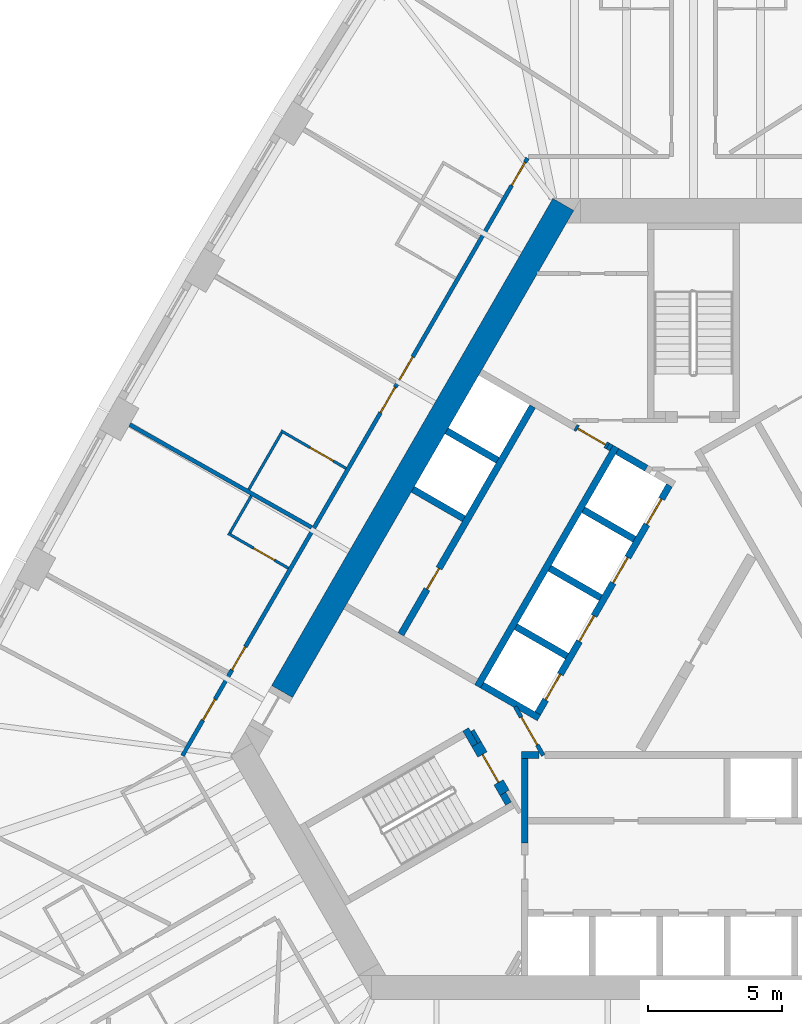
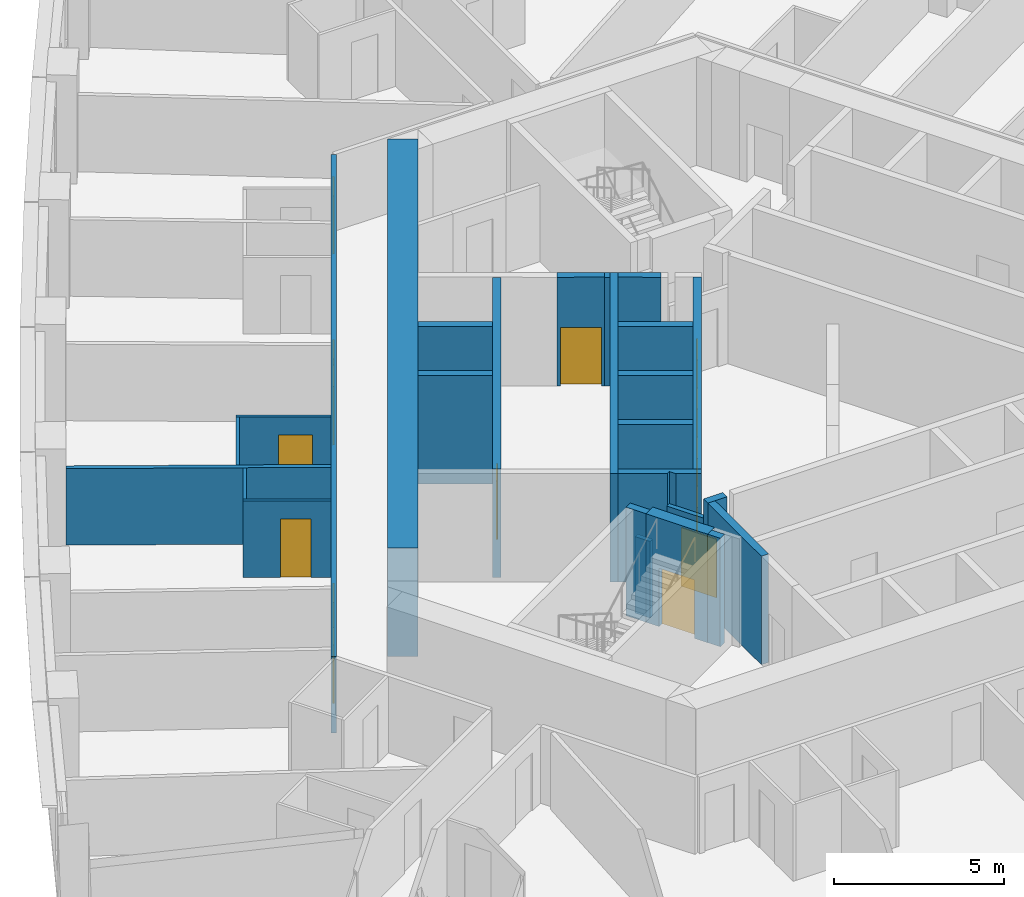
# One storey, part 5 of 13: 26 walls, 15 doors, 15 openings.
"""IFC4 building model written with IfcOpenShell, lengths in metres."""

from ifc_helpers import new_model, si_unit, direction, frame, frame_2d, origin, place, context, subcontext, project, spatial, polyline, rectangle, outline, extrude, material, layer, layer_set, type_object, element, fill, save


model = new_model("IFC4")

# Units and contexts
model_context = context("Model", 3, precision=1e-05, world=origin(), true_north=direction((0.0, 1.0)))
body_context = subcontext(model_context, "Body", "Model", "MODEL_VIEW")
ifc_project = project(units=[si_unit("LENGTHUNIT", "METRE"), si_unit("AREAUNIT", "SQUARE_METRE"), si_unit("VOLUMEUNIT", "CUBIC_METRE"), si_unit("PLANEANGLEUNIT", "RADIAN"), si_unit("MASSUNIT", "GRAM", prefix="KILO")], contexts=[model_context])

# Site, building, storey
site_placement = place(None, origin())
site = spatial("IfcSite", under=ifc_project, at=site_placement, CompositionType="ELEMENT")
building_placement = place(site_placement, origin())
building = spatial("IfcBuilding", under=site, at=building_placement, Name="Mestral Congress Tower", CompositionType="ELEMENT")
storey_placement = place(building_placement, frame((0.0, 0.0, 31.5)))
storey = spatial("IfcBuildingStorey", under=building, at=storey_placement, Name="L06", CompositionType="ELEMENT", Elevation=31.5)

# Wall
ifc_material_1 = material(Name="Fire-rated board partition")
ifc_layer_1 = layer(ifc_material_1, 0.14990234375)
ifc_layer_set_1 = layer_set([ifc_layer_1], Name="Fire-rated board partition")
wall_type_1 = type_object("IfcWallType", Name="Core partition 150", PredefinedType="PARTITIONING", material=ifc_layer_set_1)
wall_1_placement = place(storey_placement, frame((-8.251953125, -2.958251953125, 0.0), z_axis=(0.0, 0.0, 1.0), x_axis=(0.500174715838, -0.865924508047, 0.0)))
element("IfcWall", 1, at=wall_1_placement, inside=storey, type_object=wall_type_1, Name="L06 core wall", PredefinedType="PARTITIONING", context=body_context, shape_type="SweptSolid", body=[
    extrude(rectangle(XDim=0.513916015625, YDim=0.14990234375, at=frame_2d((0.2568359375, 0.0))), origin(), (0.0, 0.0, 1.0), 2.75),
])

# Wall, opening, door
wall_2_placement = place(storey_placement, frame((-5.606201171875, -3.8896484375, 0.0), z_axis=(0.0, 0.0, 1.0), x_axis=(-0.500027713859, 0.866009402589, 0.0)))
wall_2 = element("IfcWall", 2, at=wall_2_placement, inside=storey, type_object=wall_type_1, Name="L06 door wall", PredefinedType="PARTITIONING", context=body_context, shape_type="SweptSolid", body=[
    extrude(rectangle(XDim=2.10009765625, YDim=0.14990234375, at=frame_2d((1.050048828125, 0.0))), origin(), (0.0, 0.0, 1.0), 2.75),
])
opening_1_placement = place(wall_2_placement, frame((0.449951171875, 0.0, 0.0)))
opening_1 = element("IfcOpeningElement", 3, at=opening_1_placement, cuts=wall_2, Name="Opening CD3-FF", PredefinedType="OPENING", context=body_context, shape_type="SweptSolid", body=[
    extrude(rectangle(XDim=1.199951171875, YDim=2.10009765625, at=frame_2d((0.60009765625, 1.050048828125))), frame((0.0, 0.0849609375, 0.0), z_axis=(0.0, -1.0, 0.0), x_axis=(1.0, 0.0, 0.0)), (0.0, 0.0, 1.0), 0.169921875),
])
ifc_material_2 = material(Name="Fire-rated steel door set", Category="steel")
door_type_1 = type_object("IfcDoorType", Name="Core door CD 1200x2100", OperationType="SINGLE_SWING_LEFT", PredefinedType="DOOR", material=ifc_material_2)
door_1_placement = place(opening_1_placement, origin())
door_1 = element("IfcDoor", 4, at=door_1_placement, inside=storey, type_object=door_type_1, Name="Door CD3-FF", OperationType="SINGLE_SWING_LEFT", OverallHeight=2.10009765625, OverallWidth=1.199951171875, PredefinedType="DOOR", context=body_context, shape_type="SweptSolid", body=[
    extrude(rectangle(XDim=1.199951171875, YDim=2.10009765625, at=frame_2d((0.60009765625, 1.050048828125))), frame((0.0, 0.02490234375, 0.0), z_axis=(0.0, -1.0, 0.0), x_axis=(1.0, 0.0, 0.0)), (0.0, 0.0, 1.0), 0.050048828125),
])
fill(opening_1, door_1)

# Wall
ifc_material_3 = material(Name="Concrete C60/75", Category="concrete")
ifc_layer_2 = layer(ifc_material_3, 0.89990234375)
ifc_layer_set_2 = layer_set([ifc_layer_2], Name="Concrete C60/75")
wall_type_2 = type_object("IfcWallType", Name="Core wall RC 900", PredefinedType="SOLIDWALL", material=ifc_layer_set_2)
wall_3_placement = place(storey_placement, frame((-15.359619140625, -1.50341796875, 0.0), z_axis=(0.0, 0.0, 1.0), x_axis=(0.50000389221, 0.866023156604, 0.0)))
element("IfcWall", 5, at=wall_3_placement, inside=storey, type_object=wall_type_2, Name="L06 core wall", PredefinedType="SOLIDWALL", context=body_context, shape_type="SweptSolid", body=[
    extrude(rectangle(XDim=21.000244140625, YDim=0.89990234375, at=frame_2d((10.5, 0.0))), origin(), (0.0, 0.0, 1.0), 3.89990234375),
])

# Wall, opening, door
ifc_material_4 = material(Name="Gypsum board partition on metal studs with mineral wool", Category="composite")
ifc_layer_3 = layer(ifc_material_4, 0.10009765625)
ifc_layer_set_3 = layer_set([ifc_layer_3], Name="Gypsum board partition on metal studs with mineral wool")
wall_type_3 = type_object("IfcWallType", Name="Hotel partition wall 100", PredefinedType="PARTITIONING", material=ifc_layer_set_3)
wall_4_placement = place(storey_placement, frame((-12.972412109375, 6.830810546875, 0.0), z_axis=(0.0, 0.0, 1.0), x_axis=(-0.866018616679, 0.500011755427, 0.0)))
wall_4 = element("IfcWall", 6, at=wall_4_placement, inside=storey, type_object=wall_type_3, Name="L06-h-pod25a", PredefinedType="PARTITIONING", context=body_context, shape_type="SweptSolid", body=[
    extrude(rectangle(XDim=2.80029296875, YDim=0.10009765625, at=frame_2d((1.400146484375, 0.0))), origin(), (0.0, 0.0, 1.0), 2.75),
])
opening_2_placement = place(wall_4_placement, frame((0.550048828125, 0.0, 0.0)))
opening_2 = element("IfcOpeningElement", 7, at=opening_2_placement, cuts=wall_4, Name="Opening H01-048", PredefinedType="OPENING", context=body_context, shape_type="SweptSolid", body=[
    extrude(rectangle(XDim=1.0, YDim=2.10009765625, at=frame_2d((0.5, 1.050048828125))), frame((0.0, 0.06005859375, 0.0), z_axis=(0.0, -1.0, 0.0), x_axis=(1.0, 0.0, 0.0)), (0.0, 0.0, 1.0), 0.1201171875),
])
ifc_material_5 = material(Name="Timber veneer door leaf in timber frame", Category="wood")
door_type_2 = type_object("IfcDoorType", Name="Accessible bathroom door 1000", OperationType="SINGLE_SWING_LEFT", PredefinedType="DOOR", material=ifc_material_5)
door_2_placement = place(opening_2_placement, origin())
door_2 = element("IfcDoor", 8, at=door_2_placement, inside=storey, type_object=door_type_2, Name="L06-h-d048", OperationType="SINGLE_SWING_LEFT", OverallHeight=2.10009765625, OverallWidth=1.0, PredefinedType="DOOR", context=body_context, shape_type="SweptSolid", body=[
    extrude(rectangle(XDim=1.0, YDim=2.10009765625, at=frame_2d((0.5, 1.050048828125))), frame((0.0, 0.02490234375, 0.0), z_axis=(0.0, -1.0, 0.0), x_axis=(1.0, 0.0, 0.0)), (0.0, 0.0, 1.0), 0.050048828125),
])
fill(opening_2, door_2)

# Wall
wall_5_placement = place(storey_placement, frame((-15.379150390625, 8.16259765625, 0.0), z_axis=(0.0, 0.0, 1.0), x_axis=(-0.499987006516, -0.866032905446, 0.0)))
element("IfcWall", 9, at=wall_5_placement, inside=storey, type_object=wall_type_3, Name="L06-h-pod25b", PredefinedType="PARTITIONING", context=body_context, shape_type="SweptSolid", body=[
    extrude(rectangle(XDim=2.44970703125, YDim=0.10009765625, at=frame_2d((1.224853515625, 0.0))), origin(), (0.0, 0.0, 1.0), 2.75),
])

# Wall, opening, door
wall_6_placement = place(storey_placement, frame((-17.377685546875, 4.40087890625, 0.0), z_axis=(0.0, 0.0, 1.0), x_axis=(0.865997922154, -0.500047596559, 0.0)))
wall_6 = element("IfcWall", 10, at=wall_6_placement, inside=storey, type_object=wall_type_3, Name="L06-h-pod26a", PredefinedType="PARTITIONING", context=body_context, shape_type="SweptSolid", body=[
    extrude(rectangle(XDim=2.599853515625, YDim=0.10009765625, at=frame_2d((1.2998046875, 0.0))), origin(), (0.0, 0.0, 1.0), 2.75),
])
opening_3_placement = place(wall_6_placement, frame((1.10009765625, 0.0, 0.0)))
opening_3 = element("IfcOpeningElement", 11, at=opening_3_placement, cuts=wall_6, Name="Opening H01-050", PredefinedType="OPENING", context=body_context, shape_type="SweptSolid", body=[
    extrude(rectangle(XDim=0.89990234375, YDim=2.10009765625, at=frame_2d((0.449951171875, 1.050048828125))), frame((0.0, 0.06005859375, 0.0), z_axis=(0.0, -1.0, 0.0), x_axis=(1.0, 0.0, 0.0)), (0.0, 0.0, 1.0), 0.1201171875),
])
door_type_3 = type_object("IfcDoorType", Name="Bathroom door 900", OperationType="SINGLE_SWING_LEFT", PredefinedType="DOOR", material=ifc_material_5)
door_3_placement = place(opening_3_placement, origin())
door_3 = element("IfcDoor", 12, at=door_3_placement, inside=storey, type_object=door_type_3, Name="L06-h-d050", OperationType="SINGLE_SWING_LEFT", OverallHeight=2.10009765625, OverallWidth=0.89990234375, PredefinedType="DOOR", context=body_context, shape_type="SweptSolid", body=[
    extrude(rectangle(XDim=0.89990234375, YDim=2.10009765625, at=frame_2d((0.449951171875, 1.050048828125))), frame((0.0, 0.02490234375, 0.0), z_axis=(0.0, -1.0, 0.0), x_axis=(1.0, 0.0, 0.0)), (0.0, 0.0, 1.0), 0.050048828125),
])
fill(opening_3, door_3)

# Wall
wall_7_placement = place(storey_placement, frame((-17.309326171875, 4.419189453125, 0.0), z_axis=(0.0, 0.0, 1.0), x_axis=(0.499880961361, 0.866094119867, 0.0)))
element("IfcWall", 13, at=wall_7_placement, inside=storey, type_object=wall_type_3, Name="L06-h-pod26b", PredefinedType="PARTITIONING", context=body_context, shape_type="SweptSolid", body=[
    extrude(rectangle(XDim=1.60009765625, YDim=0.10009765625, at=frame_2d((0.800048828125, 0.0))), origin(), (0.0, 0.0, 1.0), 2.75),
])

# Wall, openings, doors
ifc_layer_4 = layer(ifc_material_4, 0.14990234375)
ifc_layer_set_4 = layer_set([ifc_layer_4], Name="Gypsum board partition on metal studs with mineral wool")
wall_type_4 = type_object("IfcWallType", Name="Hotel partition wall 150", PredefinedType="PARTITIONING", material=ifc_layer_set_4)
wall_8_placement = place(storey_placement, frame((-19.081298828125, -3.89990234375, 0.0), z_axis=(0.0, 0.0, 1.0), x_axis=(0.499998313975, 0.866026377209, 0.0)))
wall_8 = element("IfcWall", 14, at=wall_8_placement, inside=storey, type_object=wall_type_4, Name="L06-h-cw08", PredefinedType="PARTITIONING", context=body_context, shape_type="SweptSolid", body=[
    extrude(rectangle(XDim=25.76611328125, YDim=0.14990234375, at=frame_2d((12.883056640625, 0.0))), origin(), (0.0, 0.0, 1.0), 2.75),
])
opening_4_placement = place(wall_8_placement, frame((24.58642578125, 0.0, 0.0)))
opening_4 = element("IfcOpeningElement", 15, at=opening_4_placement, cuts=wall_8, Name="Opening H01-043", PredefinedType="OPENING", context=body_context, shape_type="SweptSolid", body=[
    extrude(rectangle(XDim=1.0, YDim=2.10009765625, at=frame_2d((0.5, 1.050048828125))), frame((0.0, 0.0849609375, 0.0), z_axis=(0.0, -1.0, 0.0), x_axis=(1.0, 0.0, 0.0)), (0.0, 0.0, 1.0), 0.169921875),
])
opening_5_placement = place(wall_8_placement, frame((16.19580078125, 0.0, 0.0)))
opening_5 = element("IfcOpeningElement", 16, at=opening_5_placement, cuts=wall_8, Name="Opening H01-045", PredefinedType="OPENING", context=body_context, shape_type="SweptSolid", body=[
    extrude(rectangle(XDim=1.0, YDim=2.10009765625, at=frame_2d((0.5, 1.050048828125))), frame((0.0, 0.0849609375, 0.0), z_axis=(0.0, -1.0, 0.0), x_axis=(1.0, 0.0, 0.0)), (0.0, 0.0, 1.0), 0.169921875),
])
opening_6_placement = place(wall_8_placement, frame((14.788818359375, 0.0, 0.0)))
opening_6 = element("IfcOpeningElement", 17, at=opening_6_placement, cuts=wall_8, Name="Opening H01-047", PredefinedType="OPENING", context=body_context, shape_type="SweptSolid", body=[
    extrude(rectangle(XDim=1.10009765625, YDim=2.10009765625, at=frame_2d((0.550048828125, 1.050048828125))), frame((0.0, 0.0849609375, 0.0), z_axis=(0.0, -1.0, 0.0), x_axis=(1.0, 0.0, 0.0)), (0.0, 0.0, 1.0), 0.169921875),
])
opening_7_placement = place(wall_8_placement, frame((3.6982421875, 0.0, 0.0)))
opening_7 = element("IfcOpeningElement", 18, at=opening_7_placement, cuts=wall_8, Name="Opening H01-049", PredefinedType="OPENING", context=body_context, shape_type="SweptSolid", body=[
    extrude(rectangle(XDim=1.0, YDim=2.10009765625, at=frame_2d((0.5, 1.050048828125))), frame((0.0, 0.0849609375, 0.0), z_axis=(0.0, -1.0, 0.0), x_axis=(1.0, 0.0, 0.0)), (0.0, 0.0, 1.0), 0.169921875),
])
opening_8_placement = place(wall_8_placement, frame((1.531494140625, 0.0, 0.0)))
opening_8 = element("IfcOpeningElement", 19, at=opening_8_placement, cuts=wall_8, Name="Opening H01-051", PredefinedType="OPENING", context=body_context, shape_type="SweptSolid", body=[
    extrude(rectangle(XDim=0.89990234375, YDim=2.10009765625, at=frame_2d((0.449951171875, 1.050048828125))), frame((0.0, 0.0849609375, 0.0), z_axis=(0.0, -1.0, 0.0), x_axis=(1.0, 0.0, 0.0)), (0.0, 0.0, 1.0), 0.169921875),
])
ifc_material_6 = material(Name="Timber veneer door leaf in metal frame", Category="wood")
door_type_4 = type_object("IfcDoorType", Name="Accessible room entrance door 1100", OperationType="SINGLE_SWING_LEFT", PredefinedType="DOOR", material=ifc_material_6)
door_4_placement = place(opening_6_placement, origin())
door_4 = element("IfcDoor", 20, at=door_4_placement, inside=storey, type_object=door_type_4, Name="L06-h-d047", OperationType="SINGLE_SWING_RIGHT", OverallHeight=2.10009765625, OverallWidth=1.10009765625, PredefinedType="DOOR", context=body_context, shape_type="SweptSolid", body=[
    extrude(rectangle(XDim=1.10009765625, YDim=2.10009765625, at=frame_2d((0.550048828125, 1.050048828125))), frame((0.0, 0.02490234375, 0.0), z_axis=(0.0, -1.0, 0.0), x_axis=(1.0, 0.0, 0.0)), (0.0, 0.0, 1.0), 0.050048828125),
])
fill(opening_6, door_4)
door_type_5 = type_object("IfcDoorType", Name="Guest room entrance door 1000", OperationType="SINGLE_SWING_LEFT", PredefinedType="DOOR", material=ifc_material_6)
door_5_placement = place(opening_4_placement, origin())
door_5 = element("IfcDoor", 21, at=door_5_placement, inside=storey, type_object=door_type_5, Name="L06-h-d043", OperationType="SINGLE_SWING_RIGHT", OverallHeight=2.10009765625, OverallWidth=1.0, PredefinedType="DOOR", context=body_context, shape_type="SweptSolid", body=[
    extrude(rectangle(XDim=1.0, YDim=2.10009765625, at=frame_2d((0.5, 1.050048828125))), frame((0.0, 0.02490234375, 0.0), z_axis=(0.0, -1.0, 0.0), x_axis=(1.0, 0.0, 0.0)), (0.0, 0.0, 1.0), 0.050048828125),
])
fill(opening_4, door_5)
door_6_placement = place(opening_5_placement, origin())
door_6 = element("IfcDoor", 22, at=door_6_placement, inside=storey, type_object=door_type_5, Name="L06-h-d045", OperationType="SINGLE_SWING_LEFT", OverallHeight=2.10009765625, OverallWidth=1.0, PredefinedType="DOOR", context=body_context, shape_type="SweptSolid", body=[
    extrude(rectangle(XDim=1.0, YDim=2.10009765625, at=frame_2d((0.5, 1.050048828125))), frame((0.0, 0.02490234375, 0.0), z_axis=(0.0, -1.0, 0.0), x_axis=(1.0, 0.0, 0.0)), (0.0, 0.0, 1.0), 0.050048828125),
])
fill(opening_5, door_6)
door_7_placement = place(opening_7_placement, origin())
door_7 = element("IfcDoor", 23, at=door_7_placement, inside=storey, type_object=door_type_5, Name="L06-h-d049", OperationType="SINGLE_SWING_LEFT", OverallHeight=2.10009765625, OverallWidth=1.0, PredefinedType="DOOR", context=body_context, shape_type="SweptSolid", body=[
    extrude(rectangle(XDim=1.0, YDim=2.10009765625, at=frame_2d((0.5, 1.050048828125))), frame((0.0, 0.02490234375, 0.0), z_axis=(0.0, -1.0, 0.0), x_axis=(1.0, 0.0, 0.0)), (0.0, 0.0, 1.0), 0.050048828125),
])
fill(opening_7, door_7)
door_type_6 = type_object("IfcDoorType", Name="Service room door 900", OperationType="SINGLE_SWING_LEFT", PredefinedType="DOOR", material=ifc_material_6)
door_8_placement = place(opening_8_placement, origin())
door_8 = element("IfcDoor", 24, at=door_8_placement, inside=storey, type_object=door_type_6, Name="L06-h-d051", OperationType="SINGLE_SWING_LEFT", OverallHeight=2.10009765625, OverallWidth=0.89990234375, PredefinedType="DOOR", context=body_context, shape_type="SweptSolid", body=[
    extrude(rectangle(XDim=0.89990234375, YDim=2.10009765625, at=frame_2d((0.449951171875, 1.050048828125))), frame((0.0, 0.02490234375, 0.0), z_axis=(0.0, -1.0, 0.0), x_axis=(1.0, 0.0, 0.0)), (0.0, 0.0, 1.0), 0.050048828125),
])
fill(opening_8, door_8)

# Walls
wall_9_placement = place(storey_placement, frame((-21.051513671875, 8.464111328125, 0.0), z_axis=(0.0, 0.0, 1.0), x_axis=(0.87059371954, -0.492002617368, 0.0)))
element("IfcWall", 25, at=wall_9_placement, inside=storey, type_object=wall_type_4, Name="L06-h-pw08", PredefinedType="PARTITIONING", context=body_context, shape_type="SweptSolid", body=[
    extrude(rectangle(XDim=7.803466796875, YDim=0.14990234375, at=frame_2d((3.90185546875, 0.0))), origin(), (0.0, 0.0, 1.0), 2.75),
])
ifc_layer_5 = layer(ifc_material_3, 0.25)
ifc_layer_set_5 = layer_set([ifc_layer_5], Name="Concrete C60/75")
wall_type_5 = type_object("IfcWallType", Name="Shaft wall RC 250", PredefinedType="SOLIDWALL", material=ifc_layer_set_5)
wall_10_placement = place(storey_placement, frame((-6.425048828125, -3.875, 0.0), z_axis=(0.0, 0.0, 1.0), x_axis=(1.0, 0.0, 0.0)))
element("IfcWall", 26, at=wall_10_placement, inside=storey, type_object=wall_type_5, Name="L06 core wall", PredefinedType="SOLIDWALL", context=body_context, shape_type="SweptSolid", body=[
    extrude(rectangle(XDim=0.657958984375, YDim=0.25, at=frame_2d((0.3291015625, 0.0))), origin(), (0.0, 0.0, 1.0), 3.89990234375),
])
wall_11_placement = place(storey_placement, frame((-6.300048828125, -4.0, 0.0), z_axis=(0.0, 0.0, 1.0), x_axis=(0.0, -1.0, 0.0)))
element("IfcWall", 27, at=wall_11_placement, inside=storey, type_object=wall_type_5, Name="L06 core wall", PredefinedType="SOLIDWALL", context=body_context, shape_type="SweptSolid", body=[
    extrude(rectangle(XDim=3.154296875, YDim=0.25, at=frame_2d((1.5771484375, 0.0))), origin(), (0.0, 0.0, 1.0), 3.89990234375),
])
wall_12_placement = place(storey_placement, frame((-8.06005859375, -1.310546875, 0.0), z_axis=(0.0, 0.0, 1.0), x_axis=(0.50000273126, 0.866023826885, 0.0)))
element("IfcWall", 28, at=wall_12_placement, inside=storey, type_object=wall_type_5, Name="L06 core wall", PredefinedType="SOLIDWALL", context=body_context, shape_type="SweptSolid", body=[
    extrude(rectangle(XDim=10.330078125, YDim=0.25, at=frame_2d((5.1650390625, 0.0))), origin(), (0.0, 0.0, 1.0), 3.89990234375),
])
wall_13_placement = place(storey_placement, frame((-1.760009765625, 6.835693359375, 0.0), z_axis=(0.0, 0.0, 1.0), x_axis=(-0.865952863304, 0.500125622755, 0.0)))
element("IfcWall", 29, at=wall_13_placement, inside=storey, type_object=wall_type_5, Name="L06 core wall", PredefinedType="SOLIDWALL", context=body_context, shape_type="SweptSolid", body=[
    extrude(rectangle(XDim=1.258056640625, YDim=0.25, at=frame_2d((0.62890625, 0.0))), origin(), (0.0, 0.0, 1.0), 3.89990234375),
])
for number, where, z_axis, x_axis, name in (
    (30, (-2.2041015625, 4.182373046875, 0.0), (0.0, 0.0, 1.0), (-0.866008176907, 0.50002983664, 0.0), "L06 core wall"),
    (31, (-5.369384765625, 3.10009765625, 0.0), (0.0, 0.0, 1.0), (0.866008176907, -0.50002983664, 0.0), "L06 core wall"),
    (32, (-4.72412109375, -0.182373046875, 0.0), (0.0, 0.0, 1.0), (-0.866008176907, 0.50002983664, 0.0), "L06 core wall"),
):
    element("IfcWall", number, at=place(storey_placement, frame(where, z_axis=z_axis, x_axis=x_axis)), inside=storey, type_object=wall_type_5, Name=name, PredefinedType="SOLIDWALL", context=body_context, shape_type="SweptSolid", body=[
        extrude(rectangle(XDim=2.199951171875, YDim=0.25, at=frame_2d((1.10009765625, 0.0))), origin(), (0.0, 0.0, 1.0), 3.89990234375),
    ])
placement = place(storey_placement, origin())
element("IfcWall", 33, at=placement, inside=storey, type_object=wall_type_5, Name="L06 core wall", PredefinedType="SOLIDWALL", context=body_context, shape_type="SweptSolid", body=[
    extrude(outline(polyline([(-5.921630859375, -2.256591796875), (-5.921630859375, -2.256591796875), (-5.705078125, -2.381591796875), (-5.830078125, -2.597900390625), (-6.48291015625, -2.22119140625), (-6.59130859375, -2.033447265625), (-6.59130859375, -2.033447265625), (-6.69970703125, -2.095947265625), (-7.951904296875, -1.373046875), (-7.826904296875, -1.156494140625), (-5.921630859375, -2.256591796875)])), origin(), (0.0, 0.0, 1.0), 3.89990234375),
])
element("IfcWall", 34, at=placement, inside=storey, type_object=wall_type_5, Name="L06 core wall", PredefinedType="SOLIDWALL", context=body_context, shape_type="SweptSolid", body=[
    extrude(outline(polyline([(-3.12841796875, 7.4814453125), (-3.2587890625, 7.556640625), (-3.1337890625, 7.773193359375), (-3.00341796875, 7.697998046875), (-3.12841796875, 7.4814453125)])), origin(), (0.0, 0.0, 1.0), 3.89990234375),
])
for number, where, z_axis, x_axis, name in (
    (35, (-8.57373046875, 4.949951171875, 0.0), (0.0, 0.0, 1.0), (-0.866008176907, 0.50002983664, 0.0), "L06 core wall"),
    (36, (-7.313720703125, 7.13232421875, 0.0), (0.0, 0.0, 1.0), (-0.866008176907, 0.50002983664, 0.0), "L06 core wall"),
):
    element("IfcWall", number, at=place(storey_placement, frame(where, z_axis=z_axis, x_axis=x_axis)), inside=storey, type_object=wall_type_5, Name=name, PredefinedType="SOLIDWALL", context=body_context, shape_type="SweptSolid", body=[
        extrude(rectangle(XDim=2.199951171875, YDim=0.25, at=frame_2d((1.10009765625, 0.0))), origin(), (0.0, 0.0, 1.0), 3.89990234375),
    ])

# Wall, opening, door
wall_16_placement = place(storey_placement, frame((-6.0078125, 9.14404296875, 0.0), z_axis=(0.0, 0.0, 1.0), x_axis=(-0.500006956611, -0.866021387346, 0.0)))
wall_16 = element("IfcWall", 37, at=wall_16_placement, inside=storey, type_object=wall_type_5, Name="L06 door wall", PredefinedType="SOLIDWALL", context=body_context, shape_type="SweptSolid", body=[
    extrude(rectangle(XDim=9.829833984375, YDim=0.25, at=frame_2d((4.9150390625, 0.0))), origin(), (0.0, 0.0, 1.0), 3.89990234375),
])
opening_9_placement = place(wall_16_placement, frame((6.985107421875, 0.0, 0.0)))
opening_9 = element("IfcOpeningElement", 38, at=opening_9_placement, cuts=wall_16, Name="Opening SR-NWA2", PredefinedType="OPENING", context=body_context, shape_type="SweptSolid", body=[
    extrude(rectangle(XDim=0.89990234375, YDim=2.10009765625, at=frame_2d((0.449951171875, 1.050048828125))), frame((0.0, 0.135009765625, 0.0), z_axis=(0.0, -1.0, 0.0), x_axis=(1.0, 0.0, 0.0)), (0.0, 0.0, 1.0), 0.27001953125),
])
door_type_7 = type_object("IfcDoorType", Name="Core door SR 900x2100", OperationType="SINGLE_SWING_LEFT", PredefinedType="DOOR", material=ifc_material_2)
door_9_placement = place(opening_9_placement, origin())
door_9 = element("IfcDoor", 39, at=door_9_placement, inside=storey, type_object=door_type_7, Name="Door SR-NWA2", OperationType="SINGLE_SWING_LEFT", OverallHeight=2.10009765625, OverallWidth=0.89990234375, PredefinedType="DOOR", context=body_context, shape_type="SweptSolid", body=[
    extrude(rectangle(XDim=0.89990234375, YDim=2.10009765625, at=frame_2d((0.449951171875, 1.050048828125))), frame((0.0, 0.02490234375, 0.0), z_axis=(0.0, -1.0, 0.0), x_axis=(1.0, 0.0, 0.0)), (0.0, 0.0, 1.0), 0.050048828125),
])
fill(opening_9, door_9)

# Wall, openings, doors
wall_17_placement = place(storey_placement, frame((-0.898193359375, 6.194091796875, 0.0), z_axis=(0.0, 0.0, 1.0), x_axis=(-0.499996202215, -0.866027596426, 0.0)))
wall_17 = element("IfcWall", 40, at=wall_17_placement, inside=storey, type_object=wall_type_5, Name="L06 door wall", PredefinedType="SOLIDWALL", context=body_context, shape_type="SweptSolid", body=[
    extrude(rectangle(XDim=9.830078125, YDim=0.25, at=frame_2d((4.9150390625, 0.0))), origin(), (0.0, 0.0, 1.0), 3.89990234375),
])
opening_10_placement = place(wall_17_placement, frame((0.5849609375, 0.0, 0.0)))
opening_10 = element("IfcOpeningElement", 41, at=opening_10_placement, cuts=wall_17, Name="Opening LD-NWB1", PredefinedType="OPENING", context=body_context, shape_type="SweptSolid", body=[
    extrude(rectangle(XDim=1.10009765625, YDim=2.10009765625, at=frame_2d((0.550048828125, 1.050048828125))), frame((0.0, 0.135009765625, 0.0), z_axis=(0.0, -1.0, 0.0), x_axis=(1.0, 0.0, 0.0)), (0.0, 0.0, 1.0), 0.27001953125),
])
opening_11_placement = place(wall_17_placement, frame((3.10498046875, 0.0, 0.0)))
opening_11 = element("IfcOpeningElement", 42, at=opening_11_placement, cuts=wall_17, Name="Opening LD-NWB2", PredefinedType="OPENING", context=body_context, shape_type="SweptSolid", body=[
    extrude(rectangle(XDim=1.10009765625, YDim=2.10009765625, at=frame_2d((0.550048828125, 1.050048828125))), frame((0.0, 0.135009765625, 0.0), z_axis=(0.0, -1.0, 0.0), x_axis=(1.0, 0.0, 0.0)), (0.0, 0.0, 1.0), 0.27001953125),
])
opening_12_placement = place(wall_17_placement, frame((5.625, 0.0, 0.0)))
opening_12 = element("IfcOpeningElement", 43, at=opening_12_placement, cuts=wall_17, Name="Opening LD-NWB3", PredefinedType="OPENING", context=body_context, shape_type="SweptSolid", body=[
    extrude(rectangle(XDim=1.10009765625, YDim=2.10009765625, at=frame_2d((0.550048828125, 1.050048828125))), frame((0.0, 0.135009765625, 0.0), z_axis=(0.0, -1.0, 0.0), x_axis=(1.0, 0.0, 0.0)), (0.0, 0.0, 1.0), 0.27001953125),
])
opening_13_placement = place(wall_17_placement, frame((8.14501953125, 0.0, 0.0)))
opening_13 = element("IfcOpeningElement", 44, at=opening_13_placement, cuts=wall_17, Name="Opening LD-NWB4", PredefinedType="OPENING", context=body_context, shape_type="SweptSolid", body=[
    extrude(rectangle(XDim=1.10009765625, YDim=2.10009765625, at=frame_2d((0.550048828125, 1.050048828125))), frame((0.0, 0.135009765625, 0.0), z_axis=(0.0, -1.0, 0.0), x_axis=(1.0, 0.0, 0.0)), (0.0, 0.0, 1.0), 0.27001953125),
])
door_type_8 = type_object("IfcDoorType", Name="Core door LD 1100x2100", OperationType="DOUBLE_DOOR_SLIDING", PredefinedType="DOOR", material=ifc_material_2)
door_10_placement = place(opening_10_placement, origin())
door_10 = element("IfcDoor", 45, at=door_10_placement, inside=storey, type_object=door_type_8, Name="Door LD-NWB1", OperationType="DOUBLE_DOOR_SLIDING", OverallHeight=2.10009765625, OverallWidth=1.10009765625, PredefinedType="DOOR", context=body_context, shape_type="SweptSolid", body=[
    extrude(rectangle(XDim=1.10009765625, YDim=2.10009765625, at=frame_2d((0.550048828125, 1.050048828125))), frame((0.0, 0.02490234375, 0.0), z_axis=(0.0, -1.0, 0.0), x_axis=(1.0, 0.0, 0.0)), (0.0, 0.0, 1.0), 0.050048828125),
])
fill(opening_10, door_10)
door_11_placement = place(opening_11_placement, origin())
door_11 = element("IfcDoor", 46, at=door_11_placement, inside=storey, type_object=door_type_8, Name="Door LD-NWB2", OperationType="DOUBLE_DOOR_SLIDING", OverallHeight=2.10009765625, OverallWidth=1.10009765625, PredefinedType="DOOR", context=body_context, shape_type="SweptSolid", body=[
    extrude(rectangle(XDim=1.10009765625, YDim=2.10009765625, at=frame_2d((0.550048828125, 1.050048828125))), frame((0.0, 0.02490234375, 0.0), z_axis=(0.0, -1.0, 0.0), x_axis=(1.0, 0.0, 0.0)), (0.0, 0.0, 1.0), 0.050048828125),
])
fill(opening_11, door_11)
door_12_placement = place(opening_12_placement, origin())
door_12 = element("IfcDoor", 47, at=door_12_placement, inside=storey, type_object=door_type_8, Name="Door LD-NWB3", OperationType="DOUBLE_DOOR_SLIDING", OverallHeight=2.10009765625, OverallWidth=1.10009765625, PredefinedType="DOOR", context=body_context, shape_type="SweptSolid", body=[
    extrude(rectangle(XDim=1.10009765625, YDim=2.10009765625, at=frame_2d((0.550048828125, 1.050048828125))), frame((0.0, 0.02490234375, 0.0), z_axis=(0.0, -1.0, 0.0), x_axis=(1.0, 0.0, 0.0)), (0.0, 0.0, 1.0), 0.050048828125),
])
fill(opening_12, door_12)
door_13_placement = place(opening_13_placement, origin())
door_13 = element("IfcDoor", 48, at=door_13_placement, inside=storey, type_object=door_type_8, Name="Door LD-NWB4", OperationType="DOUBLE_DOOR_SLIDING", OverallHeight=2.10009765625, OverallWidth=1.10009765625, PredefinedType="DOOR", context=body_context, shape_type="SweptSolid", body=[
    extrude(rectangle(XDim=1.10009765625, YDim=2.10009765625, at=frame_2d((0.550048828125, 1.050048828125))), frame((0.0, 0.02490234375, 0.0), z_axis=(0.0, -1.0, 0.0), x_axis=(1.0, 0.0, 0.0)), (0.0, 0.0, 1.0), 0.050048828125),
])
fill(opening_13, door_13)

# Wall, opening, door
wall_18_placement = place(storey_placement, frame((-4.40869140625, 8.364990234375, 0.0), z_axis=(0.0, 0.0, 1.0), x_axis=(0.866034573852, -0.49998411664, 0.0)))
wall_18 = element("IfcWall", 49, at=wall_18_placement, inside=storey, type_object=wall_type_5, Name="L06 door wall", PredefinedType="SOLIDWALL", context=body_context, shape_type="SweptSolid", body=[
    extrude(rectangle(XDim=1.39990234375, YDim=0.25, at=frame_2d((0.699951171875, 0.0))), origin(), (0.0, 0.0, 1.0), 3.89990234375),
])
opening_14_placement = place(wall_18_placement, frame((0.10009765625, 0.0, 0.0)))
opening_14 = element("IfcOpeningElement", 50, at=opening_14_placement, cuts=wall_18, Name="Opening LB2-WL2", PredefinedType="OPENING", context=body_context, shape_type="SweptSolid", body=[
    extrude(rectangle(XDim=1.199951171875, YDim=2.10009765625, at=frame_2d((0.60009765625, 1.050048828125))), frame((0.0, 0.135009765625, 0.0), z_axis=(0.0, -1.0, 0.0), x_axis=(1.0, 0.0, 0.0)), (0.0, 0.0, 1.0), 0.27001953125),
])
door_type_9 = type_object("IfcDoorType", Name="Core door LB 1200x2100", OperationType="SINGLE_SWING_LEFT", PredefinedType="DOOR", material=ifc_material_2)
door_14_placement = place(opening_14_placement, origin())
door_14 = element("IfcDoor", 51, at=door_14_placement, inside=storey, type_object=door_type_9, Name="Door LB2-WL2", OperationType="SINGLE_SWING_LEFT", OverallHeight=2.10009765625, OverallWidth=1.199951171875, PredefinedType="DOOR", context=body_context, shape_type="SweptSolid", body=[
    extrude(rectangle(XDim=1.199951171875, YDim=2.10009765625, at=frame_2d((0.60009765625, 1.050048828125))), frame((0.0, 0.02490234375, 0.0), z_axis=(0.0, -1.0, 0.0), x_axis=(1.0, 0.0, 0.0)), (0.0, 0.0, 1.0), 0.050048828125),
])
fill(opening_14, door_14)

# Walls
ifc_layer_6 = layer(ifc_material_3, 0.25)
ifc_layer_set_6 = layer_set([ifc_layer_6], Name="Concrete C60/75")
wall_type_6 = type_object("IfcWallType", Name="Stair wall RC 250", PredefinedType="SOLIDWALL", material=ifc_layer_set_6)
wall_19_placement = place(storey_placement, frame((-8.167724609375, -3.503173828125, 0.0), z_axis=(0.0, 0.0, 1.0), x_axis=(-0.499952099219, 0.866053057547, 0.0)))
element("IfcWall", 52, at=wall_19_placement, inside=storey, type_object=wall_type_6, Name="L06 core wall", PredefinedType="SOLIDWALL", context=body_context, shape_type="SweptSolid", body=[
    extrude(rectangle(XDim=0.6748046875, YDim=0.25, at=frame_2d((0.33740234375, 0.0))), origin(), (0.0, 0.0, 1.0), 3.89990234375),
])
wall_20_placement = place(storey_placement, frame((-6.905029296875, -5.68994140625, 0.0), z_axis=(0.0, 0.0, 1.0), x_axis=(-0.500402024738, 0.865793170242, 0.0)))
element("IfcWall", 53, at=wall_20_placement, inside=storey, type_object=wall_type_6, Name="L06 core wall", PredefinedType="SOLIDWALL", context=body_context, shape_type="SweptSolid", body=[
    extrude(rectangle(XDim=0.425048828125, YDim=0.25, at=frame_2d((0.21240234375, 0.0))), origin(), (0.0, 0.0, 1.0), 3.89990234375),
])

# Wall, opening, door
ifc_layer_7 = layer(ifc_material_3, 0.39990234375)
ifc_layer_set_7 = layer_set([ifc_layer_7], Name="Concrete C60/75")
wall_type_7 = type_object("IfcWallType", Name="Stair wall RC 250 door-wall 400", PredefinedType="SOLIDWALL", material=ifc_layer_set_7)
wall_21_placement = place(storey_placement, frame((-8.102783203125, -3.4658203125, 0.0), z_axis=(0.0, 0.0, 1.0), x_axis=(0.500078061341, -0.865980330357, 0.0)))
wall_21 = element("IfcWall", 54, at=wall_21_placement, inside=storey, type_object=wall_type_7, Name="L06 door wall", PredefinedType="SOLIDWALL", context=body_context, shape_type="SweptSolid", body=[
    extrude(rectangle(XDim=2.099853515625, YDim=0.39990234375, at=frame_2d((1.0498046875, 0.0))), origin(), (0.0, 0.0, 1.0), 3.89990234375),
])
opening_15_placement = place(wall_21_placement, frame((0.449951171875, 0.0, 0.0)))
opening_15 = element("IfcOpeningElement", 55, at=opening_15_placement, cuts=wall_21, Name="Opening ST-D3", PredefinedType="OPENING", context=body_context, shape_type="SweptSolid", body=[
    extrude(rectangle(XDim=1.199951171875, YDim=2.10009765625, at=frame_2d((0.60009765625, 1.050048828125))), frame((0.0, 0.2099609375, 0.0), z_axis=(0.0, -1.0, 0.0), x_axis=(1.0, 0.0, 0.0)), (0.0, 0.0, 1.0), 0.419921875),
])
door_type_10 = type_object("IfcDoorType", Name="Core door ST 1200x2100", OperationType="SINGLE_SWING_LEFT", PredefinedType="DOOR", material=ifc_material_2)
door_15_placement = place(opening_15_placement, origin())
door_15 = element("IfcDoor", 56, at=door_15_placement, inside=storey, type_object=door_type_10, Name="Door ST-D3", OperationType="SINGLE_SWING_LEFT", OverallHeight=2.10009765625, OverallWidth=1.199951171875, PredefinedType="DOOR", context=body_context, shape_type="SweptSolid", body=[
    extrude(rectangle(XDim=1.199951171875, YDim=2.10009765625, at=frame_2d((0.60009765625, 1.050048828125))), frame((0.0, 0.02490234375, 0.0), z_axis=(0.0, -1.0, 0.0), x_axis=(1.0, 0.0, 0.0)), (0.0, 0.0, 1.0), 0.050048828125),
])
fill(opening_15, door_15)

save(model, "model.ifc")
